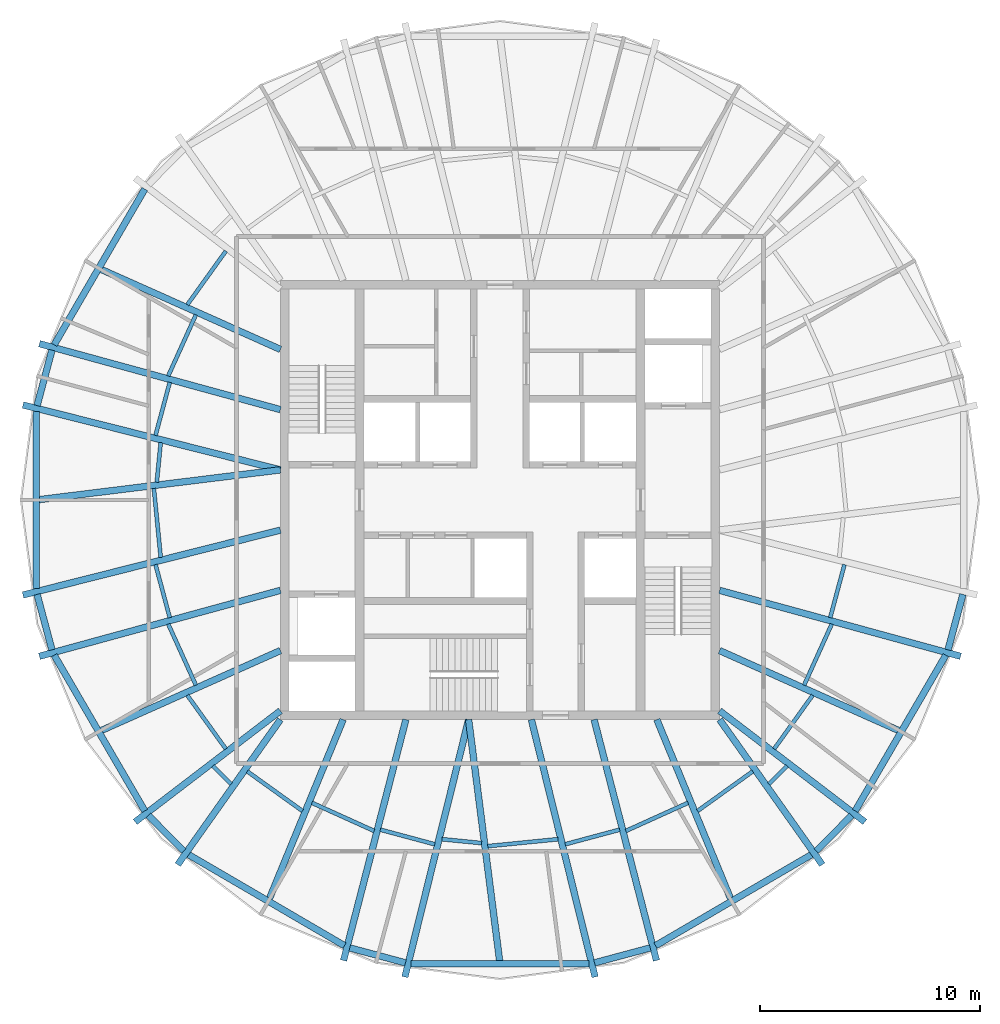
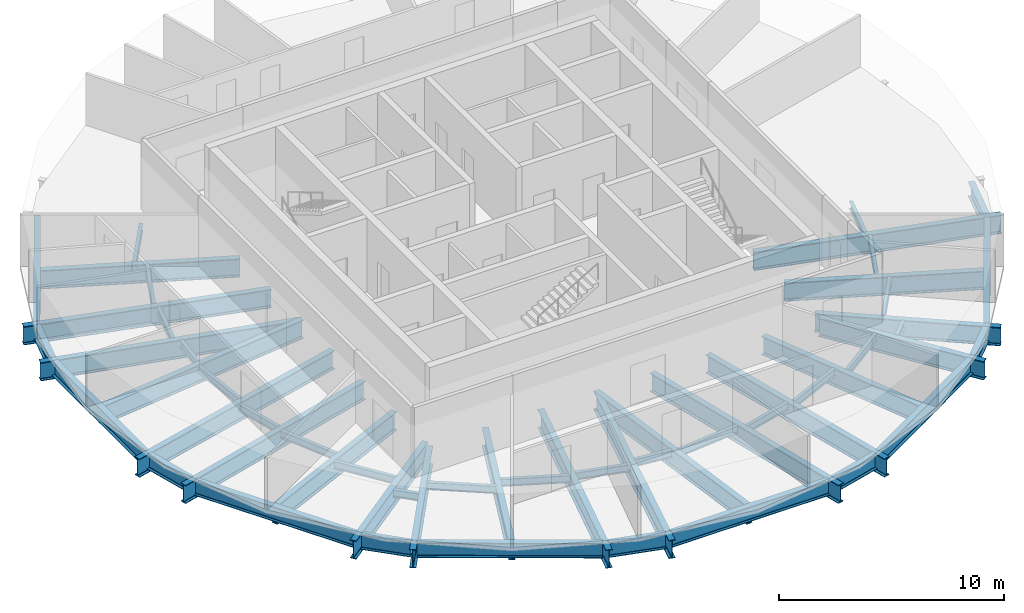
# One storey, part 1 of 7: 55 beams.
"""IFC4 building model written with IfcOpenShell, lengths in metres."""

from ifc_helpers import new_model, si_unit, direction, frame, origin, origin_2d, place, context, subcontext, project, spatial, i_section, extrude, material, material_profile, profile_set, type_object, element, save


model = new_model("IFC4")

# Units and contexts
model_context = context("Model", 3, precision=1e-05, world=origin(), true_north=direction((0.0, 1.0)))
body_context = subcontext(model_context, "Body", "Model", "MODEL_VIEW")
ifc_project = project(units=[si_unit("LENGTHUNIT", "METRE"), si_unit("AREAUNIT", "SQUARE_METRE"), si_unit("VOLUMEUNIT", "CUBIC_METRE"), si_unit("PLANEANGLEUNIT", "RADIAN"), si_unit("MASSUNIT", "GRAM", prefix="KILO")], contexts=[model_context])

# Site, building, storey
site_placement = place(None, origin())
site = spatial("IfcSite", under=ifc_project, at=site_placement, CompositionType="ELEMENT")
building_placement = place(site_placement, origin())
building = spatial("IfcBuilding", under=site, at=building_placement, Name="Golbaran Civic Tower", CompositionType="ELEMENT")
storey_placement = place(building_placement, frame((0.0, 0.0, 268.0)))
storey = spatial("IfcBuildingStorey", under=building, at=storey_placement, Name="L65", CompositionType="ELEMENT", Elevation=268.0)

# Beams
ifc_material = material(Name="Steel S355", Category="steel")
ifc_material_profile_1 = material_profile(ifc_material, i_section(OverallWidth=0.300048828125, OverallDepth=0.800048828125, WebThickness=0.017578125, FlangeThickness=0.032958984375, FilletRadius=0.030029296875, at=origin_2d()), Name="HEB 800")
ifc_profile_set_1 = profile_set([ifc_material_profile_1], Name="Steel S355")
beam_type_1 = type_object("IfcBeamType", Name="EDGE BEAM HEB 800", PredefinedType="BEAM", material=ifc_profile_set_1)
beam_1_placement = place(storey_placement, frame((-16.17431640625, 14.158447265625, -0.60009765625), z_axis=(-0.502921471552, -0.864332108308, 0.0), x_axis=(0.864332108308, -0.502921471552, 0.0)))
element("IfcBeam", 1, at=beam_1_placement, inside=storey, type_object=beam_type_1, Name="Edge beam 138.67 L65", PredefinedType="BEAM", context=body_context, shape_type="SweptSolid", body=[
    extrude(i_section(OverallWidth=0.300048828125, OverallDepth=0.800048828125, WebThickness=0.017578125, FlangeThickness=0.032958984375, FilletRadius=0.030029296875, at=origin_2d()), origin(), (0.0, 0.0, 1.0), 8.20361328125),
])
beam_2_placement = place(storey_placement, frame((-20.4013671875, 6.826171875, -0.60009765625), z_axis=(-0.258992659124, -0.965879289829, 0.0), x_axis=(0.965879289829, -0.258992659124, 0.0)))
element("IfcBeam", 2, at=beam_2_placement, inside=storey, type_object=beam_type_1, Name="Edge beam 161.33 L65", PredefinedType="BEAM", context=body_context, shape_type="SweptSolid", body=[
    extrude(i_section(OverallWidth=0.300048828125, OverallDepth=0.800048828125, WebThickness=0.017578125, FlangeThickness=0.032958984375, FilletRadius=0.030029296875, at=origin_2d()), origin(), (0.0, 0.0, 1.0), 2.615966796875),
])
beam_3_placement = place(storey_placement, frame((-21.112548828125, 4.0400390625, -0.60009765625), z_axis=(0.0, -1.0, 0.0), x_axis=(1.0, 0.0, 0.0)))
element("IfcBeam", 3, at=beam_3_placement, inside=storey, type_object=beam_type_1, Name="Edge beam 168.67 L65", PredefinedType="BEAM", context=body_context, shape_type="SweptSolid", body=[
    extrude(i_section(OverallWidth=0.300048828125, OverallDepth=0.800048828125, WebThickness=0.017578125, FlangeThickness=0.032958984375, FilletRadius=0.030029296875, at=origin_2d()), origin(), (0.0, 0.0, 1.0), 8.080078125),
])
beam_4_placement = place(storey_placement, frame((-21.078857421875, -4.299560546875, -0.60009765625), z_axis=(0.258992659124, -0.965879289829, 0.0), x_axis=(0.965879289829, 0.258992659124, 0.0)))
element("IfcBeam", 4, at=beam_4_placement, inside=storey, type_object=beam_type_1, Name="Edge beam 191.33 L65", PredefinedType="BEAM", context=body_context, shape_type="SweptSolid", body=[
    extrude(i_section(OverallWidth=0.300048828125, OverallDepth=0.800048828125, WebThickness=0.017578125, FlangeThickness=0.032958984375, FilletRadius=0.030029296875, at=origin_2d()), origin(), (0.0, 0.0, 1.0), 2.615966796875),
])
beam_5_placement = place(storey_placement, frame((-20.300048828125, -7.06787109375, -0.60009765625), z_axis=(0.502921471552, -0.864332108308, 0.0), x_axis=(0.864332108308, 0.502921471552, 0.0)))
element("IfcBeam", 5, at=beam_5_placement, inside=storey, type_object=beam_type_1, Name="Edge beam 198.67 L65", PredefinedType="BEAM", context=body_context, shape_type="SweptSolid", body=[
    extrude(i_section(OverallWidth=0.300048828125, OverallDepth=0.800048828125, WebThickness=0.017578125, FlangeThickness=0.032958984375, FilletRadius=0.030029296875, at=origin_2d()), origin(), (0.0, 0.0, 1.0), 8.20361328125),
])
beam_6_placement = place(storey_placement, frame((-16.015869140625, -14.364501953125, -0.60009765625), z_axis=(0.706414088255, -0.707798796209, 0.0), x_axis=(0.707798796209, 0.706414088255, 0.0)))
element("IfcBeam", 6, at=beam_6_placement, inside=storey, type_object=beam_type_1, Name="Edge beam 221.33 L65", PredefinedType="BEAM", context=body_context, shape_type="SweptSolid", body=[
    extrude(i_section(OverallWidth=0.300048828125, OverallDepth=0.800048828125, WebThickness=0.017578125, FlangeThickness=0.032958984375, FilletRadius=0.030029296875, at=origin_2d()), origin(), (0.0, 0.0, 1.0), 2.2919921875),
])
beam_7_placement = place(storey_placement, frame((-14.19091796875, -16.14599609375, -0.60009765625), z_axis=(0.863649754301, -0.50409235453, 0.0), x_axis=(0.50409235453, 0.863649754301, 0.0)))
element("IfcBeam", 7, at=beam_7_placement, inside=storey, type_object=beam_type_1, Name="Edge beam 228.67 L65", PredefinedType="BEAM", context=body_context, shape_type="SweptSolid", body=[
    extrude(i_section(OverallWidth=0.300048828125, OverallDepth=0.800048828125, WebThickness=0.017578125, FlangeThickness=0.032958984375, FilletRadius=0.030029296875, at=origin_2d()), origin(), (0.0, 0.0, 1.0), 8.2294921875),
])
beam_8_placement = place(storey_placement, frame((-6.84130859375, -20.396240234375, -0.60009765625), z_axis=(0.965745754414, -0.259490149776, 0.0), x_axis=(0.259490149776, 0.965745754414, 0.0)))
element("IfcBeam", 8, at=beam_8_placement, inside=storey, type_object=beam_type_1, Name="Edge beam 251.33 L65", PredefinedType="BEAM", context=body_context, shape_type="SweptSolid", body=[
    extrude(i_section(OverallWidth=0.300048828125, OverallDepth=0.800048828125, WebThickness=0.017578125, FlangeThickness=0.032958984375, FilletRadius=0.030029296875, at=origin_2d()), origin(), (0.0, 0.0, 1.0), 2.626953125),
])
beam_9_placement = place(storey_placement, frame((-4.044921875, -21.111572265625, -0.60009765625), z_axis=(1.0, 0.0, 0.0), x_axis=(0.0, 1.0, 0.0)))
element("IfcBeam", 9, at=beam_9_placement, inside=storey, type_object=beam_type_1, Name="Edge beam 258.67 L65", PredefinedType="BEAM", context=body_context, shape_type="SweptSolid", body=[
    extrude(i_section(OverallWidth=0.300048828125, OverallDepth=0.800048828125, WebThickness=0.017578125, FlangeThickness=0.032958984375, FilletRadius=0.030029296875, at=origin_2d()), origin(), (0.0, 0.0, 1.0), 8.08984375),
])
beam_10_placement = place(storey_placement, frame((4.304443359375, -21.077880859375, -0.60009765625), z_axis=(0.965745754414, 0.259490149776, 0.0), x_axis=(-0.259490149776, 0.965745754414, 0.0)))
element("IfcBeam", 10, at=beam_10_placement, inside=storey, type_object=beam_type_1, Name="Edge beam 281.33 L65", PredefinedType="BEAM", context=body_context, shape_type="SweptSolid", body=[
    extrude(i_section(OverallWidth=0.300048828125, OverallDepth=0.800048828125, WebThickness=0.017578125, FlangeThickness=0.032958984375, FilletRadius=0.030029296875, at=origin_2d()), origin(), (0.0, 0.0, 1.0), 2.626953125),
])
beam_11_placement = place(storey_placement, frame((7.08349609375, -20.29443359375, -0.60009765625), z_axis=(0.863649754301, 0.50409235453, 0.0), x_axis=(-0.50409235453, 0.863649754301, 0.0)))
element("IfcBeam", 11, at=beam_11_placement, inside=storey, type_object=beam_type_1, Name="Edge beam 288.67 L65", PredefinedType="BEAM", context=body_context, shape_type="SweptSolid", body=[
    extrude(i_section(OverallWidth=0.300048828125, OverallDepth=0.800048828125, WebThickness=0.017578125, FlangeThickness=0.032958984375, FilletRadius=0.030029296875, at=origin_2d()), origin(), (0.0, 0.0, 1.0), 8.2294921875),
])
beam_12_placement = place(storey_placement, frame((14.396728515625, -15.98681640625, -0.60009765625), z_axis=(0.706414088255, 0.707798796209, 0.0), x_axis=(-0.707798796209, 0.706414088255, 0.0)))
element("IfcBeam", 12, at=beam_12_placement, inside=storey, type_object=beam_type_1, Name="Edge beam 311.33 L65", PredefinedType="BEAM", context=body_context, shape_type="SweptSolid", body=[
    extrude(i_section(OverallWidth=0.300048828125, OverallDepth=0.800048828125, WebThickness=0.017578125, FlangeThickness=0.032958984375, FilletRadius=0.030029296875, at=origin_2d()), origin(), (0.0, 0.0, 1.0), 2.2919921875),
])
beam_13_placement = place(storey_placement, frame((16.17431640625, -14.158447265625, -0.60009765625), z_axis=(0.502921471552, 0.864332108308, 0.0), x_axis=(-0.864332108308, 0.502921471552, 0.0)))
element("IfcBeam", 13, at=beam_13_placement, inside=storey, type_object=beam_type_1, Name="Edge beam 318.67 L65", PredefinedType="BEAM", context=body_context, shape_type="SweptSolid", body=[
    extrude(i_section(OverallWidth=0.300048828125, OverallDepth=0.800048828125, WebThickness=0.017578125, FlangeThickness=0.032958984375, FilletRadius=0.030029296875, at=origin_2d()), origin(), (0.0, 0.0, 1.0), 8.20361328125),
])
beam_14_placement = place(storey_placement, frame((20.4013671875, -6.826171875, -0.60009765625), z_axis=(0.258992659124, 0.965879289829, 0.0), x_axis=(-0.965879289829, 0.258992659124, 0.0)))
element("IfcBeam", 14, at=beam_14_placement, inside=storey, type_object=beam_type_1, Name="Edge beam 341.33 L65", PredefinedType="BEAM", context=body_context, shape_type="SweptSolid", body=[
    extrude(i_section(OverallWidth=0.300048828125, OverallDepth=0.800048828125, WebThickness=0.017578125, FlangeThickness=0.032958984375, FilletRadius=0.030029296875, at=origin_2d()), origin(), (0.0, 0.0, 1.0), 2.615966796875),
])
ifc_material_profile_2 = material_profile(ifc_material, i_section(OverallWidth=0.179931640625, OverallDepth=0.39990234375, WebThickness=0.008544921875, FlangeThickness=0.013427734375, FilletRadius=0.02099609375, at=origin_2d()), Name="IPE 400")
ifc_profile_set_2 = profile_set([ifc_material_profile_2], Name="Steel S355")
beam_type_2 = type_object("IfcBeamType", Name="FLOOR INFILL BEAM IPE 400", PredefinedType="BEAM", material=ifc_profile_set_2)
beam_15_placement = place(storey_placement, frame((-12.48486328125, 11.336669921875, -0.39990234375), z_axis=(-0.583070880212, -0.812421287664, 0.0), x_axis=(0.812421287664, -0.583070880212, 0.0)))
element("IfcBeam", 15, at=beam_15_placement, inside=storey, type_object=beam_type_2, Name="Infill beam 144.33 L65", PredefinedType="BEAM", context=body_context, shape_type="SweptSolid", body=[
    extrude(i_section(OverallWidth=0.179931640625, OverallDepth=0.39990234375, WebThickness=0.008544921875, FlangeThickness=0.013427734375, FilletRadius=0.02099609375, at=origin_2d()), origin(), (0.0, 0.0, 1.0), 3.00927734375),
])
beam_16_placement = place(storey_placement, frame((-13.848876953125, 8.432861328125, -0.39990234375), z_axis=(-0.412057383587, -0.911157896652, 0.0), x_axis=(0.911157896652, -0.412057383587, 0.0)))
element("IfcBeam", 16, at=beam_16_placement, inside=storey, type_object=beam_type_2, Name="Infill beam 155.67 L65", PredefinedType="BEAM", context=body_context, shape_type="SweptSolid", body=[
    extrude(i_section(OverallWidth=0.179931640625, OverallDepth=0.39990234375, WebThickness=0.008544921875, FlangeThickness=0.013427734375, FilletRadius=0.02099609375, at=origin_2d()), origin(), (0.0, 0.0, 1.0), 3.057373046875),
])
beam_17_placement = place(storey_placement, frame((-15.03857421875, 5.3583984375, -0.39990234375), z_axis=(-0.258857919749, -0.965915409021, 0.0), x_axis=(0.965915409021, -0.258857919749, 0.0)))
element("IfcBeam", 17, at=beam_17_placement, inside=storey, type_object=beam_type_2, Name="Infill beam 165.00 L65", PredefinedType="BEAM", context=body_context, shape_type="SweptSolid", body=[
    extrude(i_section(OverallWidth=0.179931640625, OverallDepth=0.39990234375, WebThickness=0.008544921875, FlangeThickness=0.013427734375, FilletRadius=0.02099609375, at=origin_2d()), origin(), (0.0, 0.0, 1.0), 2.504150390625),
])
beam_18_placement = place(storey_placement, frame((-15.450439453125, 2.61181640625, -0.39990234375), z_axis=(-0.098703742979, -0.995116863048, 0.0), x_axis=(0.995116863048, -0.098703742979, 0.0)))
element("IfcBeam", 18, at=beam_18_placement, inside=storey, type_object=beam_type_2, Name="Infill beam 174.33 L65", PredefinedType="BEAM", context=body_context, shape_type="SweptSolid", body=[
    extrude(i_section(OverallWidth=0.179931640625, OverallDepth=0.39990234375, WebThickness=0.008544921875, FlangeThickness=0.013427734375, FilletRadius=0.02099609375, at=origin_2d()), origin(), (0.0, 0.0, 1.0), 1.81298828125),
])
beam_19_placement = place(storey_placement, frame((-15.761962890625, 0.529296875, -0.39990234375), z_axis=(0.09869194854, -0.995118032845, 0.0), x_axis=(0.995118032845, 0.09869194854, 0.0)))
element("IfcBeam", 19, at=beam_19_placement, inside=storey, type_object=beam_type_2, Name="Infill beam 185.67 L65", PredefinedType="BEAM", context=body_context, shape_type="SweptSolid", body=[
    extrude(i_section(OverallWidth=0.179931640625, OverallDepth=0.39990234375, WebThickness=0.008544921875, FlangeThickness=0.013427734375, FilletRadius=0.02099609375, at=origin_2d()), origin(), (0.0, 0.0, 1.0), 3.156494140625),
])
beam_20_placement = place(storey_placement, frame((-15.686767578125, -2.939697265625, -0.39990234375), z_axis=(0.258857919749, -0.965915409021, 0.0), x_axis=(0.965915409021, 0.258857919749, 0.0)))
element("IfcBeam", 20, at=beam_20_placement, inside=storey, type_object=beam_type_2, Name="Infill beam 195.00 L65", PredefinedType="BEAM", context=body_context, shape_type="SweptSolid", body=[
    extrude(i_section(OverallWidth=0.179931640625, OverallDepth=0.39990234375, WebThickness=0.008544921875, FlangeThickness=0.013427734375, FilletRadius=0.02099609375, at=origin_2d()), origin(), (0.0, 0.0, 1.0), 2.504150390625),
])
beam_21_placement = place(storey_placement, frame((-15.108642578125, -5.647216796875, -0.39990234375), z_axis=(0.412057383587, -0.911157896652, 0.0), x_axis=(0.911157896652, 0.412057383587, 0.0)))
element("IfcBeam", 21, at=beam_21_placement, inside=storey, type_object=beam_type_2, Name="Infill beam 204.33 L65", PredefinedType="BEAM", context=body_context, shape_type="SweptSolid", body=[
    extrude(i_section(OverallWidth=0.179931640625, OverallDepth=0.39990234375, WebThickness=0.008544921875, FlangeThickness=0.013427734375, FilletRadius=0.02099609375, at=origin_2d()), origin(), (0.0, 0.0, 1.0), 3.057373046875),
])
beam_22_placement = place(storey_placement, frame((-14.239501953125, -8.891845703125, -0.39990234375), z_axis=(0.583070880212, -0.812421287664, 0.0), x_axis=(0.812421287664, 0.583070880212, 0.0)))
element("IfcBeam", 22, at=beam_22_placement, inside=storey, type_object=beam_type_2, Name="Infill beam 215.67 L65", PredefinedType="BEAM", context=body_context, shape_type="SweptSolid", body=[
    extrude(i_section(OverallWidth=0.179931640625, OverallDepth=0.39990234375, WebThickness=0.008544921875, FlangeThickness=0.013427734375, FilletRadius=0.02099609375, at=origin_2d()), origin(), (0.0, 0.0, 1.0), 3.00927734375),
])
beam_23_placement = place(storey_placement, frame((-13.075439453125, -12.11572265625, -0.39990234375), z_axis=(0.707210683438, -0.707002863666, 0.0), x_axis=(0.707002863666, 0.707210683438, 0.0)))
element("IfcBeam", 23, at=beam_23_placement, inside=storey, type_object=beam_type_2, Name="Infill beam 225.00 L65", PredefinedType="BEAM", context=body_context, shape_type="SweptSolid", body=[
    extrude(i_section(OverallWidth=0.179931640625, OverallDepth=0.39990234375, WebThickness=0.008544921875, FlangeThickness=0.013427734375, FilletRadius=0.02099609375, at=origin_2d()), origin(), (0.0, 0.0, 1.0), 1.1748046875),
])
beam_24_placement = place(storey_placement, frame((-11.509521484375, -12.357666015625, -0.39990234375), z_axis=(0.812440704579, -0.58304382472, 0.0), x_axis=(0.58304382472, 0.812440704579, 0.0)))
element("IfcBeam", 24, at=beam_24_placement, inside=storey, type_object=beam_type_2, Name="Infill beam 234.33 L65", PredefinedType="BEAM", context=body_context, shape_type="SweptSolid", body=[
    extrude(i_section(OverallWidth=0.179931640625, OverallDepth=0.39990234375, WebThickness=0.008544921875, FlangeThickness=0.013427734375, FilletRadius=0.02099609375, at=origin_2d()), origin(), (0.0, 0.0, 1.0), 3.0927734375),
])
beam_25_placement = place(storey_placement, frame((-8.56298828125, -13.7900390625, -0.39990234375), z_axis=(0.911161309546, -0.412049836776, 0.0), x_axis=(0.412049836776, 0.911161309546, 0.0)))
element("IfcBeam", 25, at=beam_25_placement, inside=storey, type_object=beam_type_2, Name="Infill beam 245.67 L65", PredefinedType="BEAM", context=body_context, shape_type="SweptSolid", body=[
    extrude(i_section(OverallWidth=0.179931640625, OverallDepth=0.39990234375, WebThickness=0.008544921875, FlangeThickness=0.013427734375, FilletRadius=0.02099609375, at=origin_2d()), origin(), (0.0, 0.0, 1.0), 3.107177734375),
])
beam_26_placement = place(storey_placement, frame((-5.44873046875, -15.01416015625, -0.39990234375), z_axis=(0.965917074027, -0.258851706779, 0.0), x_axis=(0.258851706779, 0.965917074027, 0.0)))
element("IfcBeam", 26, at=beam_26_placement, inside=storey, type_object=beam_type_2, Name="Infill beam 255.00 L65", PredefinedType="BEAM", context=body_context, shape_type="SweptSolid", body=[
    extrude(i_section(OverallWidth=0.179931640625, OverallDepth=0.39990234375, WebThickness=0.008544921875, FlangeThickness=0.013427734375, FilletRadius=0.02099609375, at=origin_2d()), origin(), (0.0, 0.0, 1.0), 2.568359375),
])
beam_27_placement = place(storey_placement, frame((-2.642822265625, -15.44677734375, -0.39990234375), z_axis=(0.9951154454, -0.098718034454, 0.0), x_axis=(0.098718034454, 0.9951154454, 0.0)))
element("IfcBeam", 27, at=beam_27_placement, inside=storey, type_object=beam_type_2, Name="Infill beam 264.33 L65", PredefinedType="BEAM", context=body_context, shape_type="SweptSolid", body=[
    extrude(i_section(OverallWidth=0.179931640625, OverallDepth=0.39990234375, WebThickness=0.008544921875, FlangeThickness=0.013427734375, FilletRadius=0.02099609375, at=origin_2d()), origin(), (0.0, 0.0, 1.0), 1.815185546875),
])
beam_28_placement = place(storey_placement, frame((-0.556396484375, -15.76416015625, -0.39990234375), z_axis=(0.995115078392, 0.098721733967, 0.0), x_axis=(-0.098721733967, 0.995115078392, 0.0)))
element("IfcBeam", 28, at=beam_28_placement, inside=storey, type_object=beam_type_2, Name="Infill beam 275.67 L65", PredefinedType="BEAM", context=body_context, shape_type="SweptSolid", body=[
    extrude(i_section(OverallWidth=0.179931640625, OverallDepth=0.39990234375, WebThickness=0.008544921875, FlangeThickness=0.013427734375, FilletRadius=0.02099609375, at=origin_2d()), origin(), (0.0, 0.0, 1.0), 3.21484375),
])
beam_29_placement = place(storey_placement, frame((2.968017578125, -15.678955078125, -0.39990234375), z_axis=(0.965917074027, 0.258851706779, 0.0), x_axis=(-0.258851706779, 0.965917074027, 0.0)))
element("IfcBeam", 29, at=beam_29_placement, inside=storey, type_object=beam_type_2, Name="Infill beam 285.00 L65", PredefinedType="BEAM", context=body_context, shape_type="SweptSolid", body=[
    extrude(i_section(OverallWidth=0.179931640625, OverallDepth=0.39990234375, WebThickness=0.008544921875, FlangeThickness=0.013427734375, FilletRadius=0.02099609375, at=origin_2d()), origin(), (0.0, 0.0, 1.0), 2.568359375),
])
beam_30_placement = place(storey_placement, frame((5.73193359375, -15.0703125, -0.39990234375), z_axis=(0.911161309546, 0.412049836776, 0.0), x_axis=(-0.412049836776, 0.911161309546, 0.0)))
element("IfcBeam", 30, at=beam_30_placement, inside=storey, type_object=beam_type_2, Name="Infill beam 294.33 L65", PredefinedType="BEAM", context=body_context, shape_type="SweptSolid", body=[
    extrude(i_section(OverallWidth=0.179931640625, OverallDepth=0.39990234375, WebThickness=0.008544921875, FlangeThickness=0.013427734375, FilletRadius=0.02099609375, at=origin_2d()), origin(), (0.0, 0.0, 1.0), 3.107177734375),
])
beam_31_placement = place(storey_placement, frame((8.996826171875, -14.160888671875, -0.39990234375), z_axis=(0.812440704579, 0.58304382472, 0.0), x_axis=(-0.58304382472, 0.812440704579, 0.0)))
element("IfcBeam", 31, at=beam_31_placement, inside=storey, type_object=beam_type_2, Name="Infill beam 305.67 L65", PredefinedType="BEAM", context=body_context, shape_type="SweptSolid", body=[
    extrude(i_section(OverallWidth=0.179931640625, OverallDepth=0.39990234375, WebThickness=0.008544921875, FlangeThickness=0.013427734375, FilletRadius=0.02099609375, at=origin_2d()), origin(), (0.0, 0.0, 1.0), 3.0927734375),
])
beam_32_placement = place(storey_placement, frame((12.24462890625, -12.9462890625, -0.39990234375), z_axis=(0.707210683438, 0.707002863666, 0.0), x_axis=(-0.707002863666, 0.707210683438, 0.0)))
element("IfcBeam", 32, at=beam_32_placement, inside=storey, type_object=beam_type_2, Name="Infill beam 315.00 L65", PredefinedType="BEAM", context=body_context, shape_type="SweptSolid", body=[
    extrude(i_section(OverallWidth=0.179931640625, OverallDepth=0.39990234375, WebThickness=0.008544921875, FlangeThickness=0.013427734375, FilletRadius=0.02099609375, at=origin_2d()), origin(), (0.0, 0.0, 1.0), 1.1748046875),
])
beam_33_placement = place(storey_placement, frame((12.48486328125, -11.336669921875, -0.39990234375), z_axis=(0.583070880212, 0.812421287664, 0.0), x_axis=(-0.812421287664, 0.583070880212, 0.0)))
element("IfcBeam", 33, at=beam_33_placement, inside=storey, type_object=beam_type_2, Name="Infill beam 324.33 L65", PredefinedType="BEAM", context=body_context, shape_type="SweptSolid", body=[
    extrude(i_section(OverallWidth=0.179931640625, OverallDepth=0.39990234375, WebThickness=0.008544921875, FlangeThickness=0.013427734375, FilletRadius=0.02099609375, at=origin_2d()), origin(), (0.0, 0.0, 1.0), 3.00927734375),
])
beam_34_placement = place(storey_placement, frame((13.848876953125, -8.432861328125, -0.39990234375), z_axis=(0.412057383587, 0.911157896652, 0.0), x_axis=(-0.911157896652, 0.412057383587, 0.0)))
element("IfcBeam", 34, at=beam_34_placement, inside=storey, type_object=beam_type_2, Name="Infill beam 335.67 L65", PredefinedType="BEAM", context=body_context, shape_type="SweptSolid", body=[
    extrude(i_section(OverallWidth=0.179931640625, OverallDepth=0.39990234375, WebThickness=0.008544921875, FlangeThickness=0.013427734375, FilletRadius=0.02099609375, at=origin_2d()), origin(), (0.0, 0.0, 1.0), 3.057373046875),
])
beam_35_placement = place(storey_placement, frame((15.03857421875, -5.3583984375, -0.39990234375), z_axis=(0.258857919749, 0.965915409021, 0.0), x_axis=(-0.965915409021, 0.258857919749, 0.0)))
element("IfcBeam", 35, at=beam_35_placement, inside=storey, type_object=beam_type_2, Name="Infill beam 345.00 L65", PredefinedType="BEAM", context=body_context, shape_type="SweptSolid", body=[
    extrude(i_section(OverallWidth=0.179931640625, OverallDepth=0.39990234375, WebThickness=0.008544921875, FlangeThickness=0.013427734375, FilletRadius=0.02099609375, at=origin_2d()), origin(), (0.0, 0.0, 1.0), 2.504150390625),
])
ifc_material_profile_3 = material_profile(ifc_material, i_section(OverallWidth=0.300048828125, OverallDepth=1.0, WebThickness=0.01904296875, FlangeThickness=0.035888671875, FilletRadius=0.030029296875, at=origin_2d()), Name="HEB 1000")
ifc_profile_set_3 = profile_set([ifc_material_profile_3], Name="Steel S355")
beam_type_3 = type_object("IfcBeamType", Name="RADIAL FLOOR BEAM HEB 1000", PredefinedType="BEAM", material=ifc_profile_set_3)
beam_36_placement = place(storey_placement, frame((-10.0, 4.1142578125, -0.7099609375), z_axis=(-0.964530693018, 0.263970722291, 0.0), x_axis=(-0.263970722291, -0.964530693018, 0.0)))
element("IfcBeam", 36, at=beam_36_placement, inside=storey, type_object=beam_type_3, Name="Radial beam 161.33 L65", PredefinedType="BEAM", context=body_context, shape_type="SweptSolid", body=[
    extrude(i_section(OverallWidth=0.300048828125, OverallDepth=1.0, WebThickness=0.01904296875, FlangeThickness=0.035888671875, FilletRadius=0.030029296875, at=origin_2d()), origin(), (0.0, 0.0, 1.0), 11.376953125),
])
for number, where, z_axis, x_axis, name in (
    (37, (-10.0, 1.371337890625, -0.7099609375), (-0.969637910778, 0.24454513281, 0.0), (-0.24454513281, -0.969637910778, 0.0), "Radial beam 168.67 L65"),
    (38, (-10.0, -1.371337890625, -0.7099609375), (-0.969637910778, -0.24454513281, 0.0), (0.24454513281, -0.969637910778, 0.0), "Radial beam 191.33 L65"),
):
    element("IfcBeam", number, at=place(storey_placement, frame(where, z_axis=z_axis, x_axis=x_axis)), inside=storey, type_object=beam_type_3, Name=name, PredefinedType="BEAM", context=body_context, shape_type="SweptSolid", body=[
        extrude(i_section(OverallWidth=0.300048828125, OverallDepth=1.0, WebThickness=0.01904296875, FlangeThickness=0.035888671875, FilletRadius=0.030029296875, at=origin_2d()), origin(), (0.0, 0.0, 1.0), 12.0888671875),
    ])
beam_37_placement = place(storey_placement, frame((-10.0, -4.1142578125, -0.7099609375), z_axis=(-0.964530693018, -0.263970722291, 0.0), x_axis=(0.263970722291, -0.964530693018, 0.0)))
element("IfcBeam", 39, at=beam_37_placement, inside=storey, type_object=beam_type_3, Name="Radial beam 198.67 L65", PredefinedType="BEAM", context=body_context, shape_type="SweptSolid", body=[
    extrude(i_section(OverallWidth=0.300048828125, OverallDepth=1.0, WebThickness=0.01904296875, FlangeThickness=0.035888671875, FilletRadius=0.030029296875, at=origin_2d()), origin(), (0.0, 0.0, 1.0), 11.376953125),
])
beam_38_placement = place(storey_placement, frame((-10.0, -9.60009765625, -0.7099609375), z_axis=(-0.794329542942, -0.607487100447, 0.0), x_axis=(0.607487100447, -0.794329542942, 0.0)))
element("IfcBeam", 40, at=beam_38_placement, inside=storey, type_object=beam_type_3, Name="Radial beam 221.33 L65", PredefinedType="BEAM", context=body_context, shape_type="SweptSolid", body=[
    extrude(i_section(OverallWidth=0.300048828125, OverallDepth=1.0, WebThickness=0.01904296875, FlangeThickness=0.035888671875, FilletRadius=0.030029296875, at=origin_2d()), origin(), (0.0, 0.0, 1.0), 8.32861328125),
])
beam_39_placement = place(storey_placement, frame((-10.0, -10.0, -0.7099609375), z_axis=(-0.577728538232, -0.816228972845, 0.0), x_axis=(0.816228972845, -0.577728538232, 0.0)))
element("IfcBeam", 41, at=beam_39_placement, inside=storey, type_object=beam_type_3, Name="Radial beam 228.67 L65", PredefinedType="BEAM", context=body_context, shape_type="SweptSolid", body=[
    extrude(i_section(OverallWidth=0.300048828125, OverallDepth=1.0, WebThickness=0.01904296875, FlangeThickness=0.035888671875, FilletRadius=0.030029296875, at=origin_2d()), origin(), (0.0, 0.0, 1.0), 8.093017578125),
])
beam_40_placement = place(storey_placement, frame((-4.28564453125, -10.0, -0.7099609375), z_axis=(-0.250491804214, -0.968118720004, 0.0), x_axis=(0.968118720004, -0.250491804214, 0.0)))
element("IfcBeam", 42, at=beam_40_placement, inside=storey, type_object=beam_type_3, Name="Radial beam 251.33 L65", PredefinedType="BEAM", context=body_context, shape_type="SweptSolid", body=[
    extrude(i_section(OverallWidth=0.300048828125, OverallDepth=1.0, WebThickness=0.01904296875, FlangeThickness=0.035888671875, FilletRadius=0.030029296875, at=origin_2d()), origin(), (0.0, 0.0, 1.0), 11.331298828125),
])
for number, where, z_axis, x_axis, name in (
    (43, (-1.428466796875, -10.0, -0.7099609375), (-0.240284884834, -0.970702412751, 0.0), (0.970702412751, -0.240284884834, 0.0), "Radial beam 258.67 L65"),
    (44, (1.428466796875, -10.0, -0.7099609375), (0.240284884834, -0.970702412751, 0.0), (0.970702412751, 0.240284884834, 0.0), "Radial beam 281.33 L65"),
):
    element("IfcBeam", number, at=place(storey_placement, frame(where, z_axis=z_axis, x_axis=x_axis)), inside=storey, type_object=beam_type_3, Name=name, PredefinedType="BEAM", context=body_context, shape_type="SweptSolid", body=[
        extrude(i_section(OverallWidth=0.300048828125, OverallDepth=1.0, WebThickness=0.01904296875, FlangeThickness=0.035888671875, FilletRadius=0.030029296875, at=origin_2d()), origin(), (0.0, 0.0, 1.0), 12.07568359375),
    ])
beam_41_placement = place(storey_placement, frame((4.28564453125, -10.0, -0.7099609375), z_axis=(0.250491804214, -0.968118720004, 0.0), x_axis=(0.968118720004, 0.250491804214, 0.0)))
element("IfcBeam", 45, at=beam_41_placement, inside=storey, type_object=beam_type_3, Name="Radial beam 288.67 L65", PredefinedType="BEAM", context=body_context, shape_type="SweptSolid", body=[
    extrude(i_section(OverallWidth=0.300048828125, OverallDepth=1.0, WebThickness=0.01904296875, FlangeThickness=0.035888671875, FilletRadius=0.030029296875, at=origin_2d()), origin(), (0.0, 0.0, 1.0), 11.331298828125),
])
beam_42_placement = place(storey_placement, frame((10.0, -10.0, -0.7099609375), z_axis=(0.577728538232, -0.816228972845, 0.0), x_axis=(0.816228972845, 0.577728538232, 0.0)))
element("IfcBeam", 46, at=beam_42_placement, inside=storey, type_object=beam_type_3, Name="Radial beam 311.33 L65", PredefinedType="BEAM", context=body_context, shape_type="SweptSolid", body=[
    extrude(i_section(OverallWidth=0.300048828125, OverallDepth=1.0, WebThickness=0.01904296875, FlangeThickness=0.035888671875, FilletRadius=0.030029296875, at=origin_2d()), origin(), (0.0, 0.0, 1.0), 8.093017578125),
])
beam_43_placement = place(storey_placement, frame((10.0, -9.60009765625, -0.7099609375), z_axis=(0.794329542942, -0.607487100447, 0.0), x_axis=(0.607487100447, 0.794329542942, 0.0)))
element("IfcBeam", 47, at=beam_43_placement, inside=storey, type_object=beam_type_3, Name="Radial beam 318.67 L65", PredefinedType="BEAM", context=body_context, shape_type="SweptSolid", body=[
    extrude(i_section(OverallWidth=0.300048828125, OverallDepth=1.0, WebThickness=0.01904296875, FlangeThickness=0.035888671875, FilletRadius=0.030029296875, at=origin_2d()), origin(), (0.0, 0.0, 1.0), 8.32861328125),
])
beam_44_placement = place(storey_placement, frame((10.0, -4.1142578125, -0.7099609375), z_axis=(0.964530693018, -0.263970722291, 0.0), x_axis=(0.263970722291, 0.964530693018, 0.0)))
element("IfcBeam", 48, at=beam_44_placement, inside=storey, type_object=beam_type_3, Name="Radial beam 341.33 L65", PredefinedType="BEAM", context=body_context, shape_type="SweptSolid", body=[
    extrude(i_section(OverallWidth=0.300048828125, OverallDepth=1.0, WebThickness=0.01904296875, FlangeThickness=0.035888671875, FilletRadius=0.030029296875, at=origin_2d()), origin(), (0.0, 0.0, 1.0), 11.376953125),
])
ifc_material_profile_4 = material_profile(ifc_material, i_section(OverallWidth=0.300048828125, OverallDepth=1.0, WebThickness=0.01904296875, FlangeThickness=0.035888671875, FilletRadius=0.030029296875, at=origin_2d()), Name="HEB 1000")
ifc_profile_set_4 = profile_set([ifc_material_profile_4], Name="Steel S355")
beam_type_4 = type_object("IfcBeamType", Name="SECONDARY FLOOR BEAM HEB 1000", PredefinedType="BEAM", material=ifc_profile_set_4)
beam_45_placement = place(storey_placement, frame((-10.0, 6.857177734375, -0.7099609375), z_axis=(-0.913158120932, 0.407605503123, 0.0), x_axis=(-0.407605503123, -0.913158120932, 0.0)))
element("IfcBeam", 49, at=beam_45_placement, inside=storey, type_object=beam_type_4, Name="Secondary beam 150.00 L65", PredefinedType="BEAM", context=body_context, shape_type="SweptSolid", body=[
    extrude(i_section(OverallWidth=0.300048828125, OverallDepth=1.0, WebThickness=0.01904296875, FlangeThickness=0.035888671875, FilletRadius=0.030029296875, at=origin_2d()), origin(), (0.0, 0.0, 1.0), 9.060546875),
])
beam_46_placement = place(storey_placement, frame((-10.0, 1.371337890625, -0.7099609375), z_axis=(-0.99247154965, -0.12247539808, 0.0), x_axis=(0.12247539808, -0.99247154965, 0.0)))
element("IfcBeam", 50, at=beam_46_placement, inside=storey, type_object=beam_type_4, Name="Secondary beam 180.00 L65", PredefinedType="BEAM", context=body_context, shape_type="SweptSolid", body=[
    extrude(i_section(OverallWidth=0.300048828125, OverallDepth=1.0, WebThickness=0.01904296875, FlangeThickness=0.035888671875, FilletRadius=0.030029296875, at=origin_2d()), origin(), (0.0, 0.0, 1.0), 11.19677734375),
])
beam_47_placement = place(storey_placement, frame((-10.0, -6.857177734375, -0.7099609375), z_axis=(-0.913158120932, -0.407605503123, 0.0), x_axis=(0.407605503123, -0.913158120932, 0.0)))
element("IfcBeam", 51, at=beam_47_placement, inside=storey, type_object=beam_type_4, Name="Secondary beam 210.00 L65", PredefinedType="BEAM", context=body_context, shape_type="SweptSolid", body=[
    extrude(i_section(OverallWidth=0.300048828125, OverallDepth=1.0, WebThickness=0.01904296875, FlangeThickness=0.035888671875, FilletRadius=0.030029296875, at=origin_2d()), origin(), (0.0, 0.0, 1.0), 9.060546875),
])
beam_48_placement = place(storey_placement, frame((-7.142822265625, -10.0, -0.7099609375), z_axis=(-0.380773140304, -0.924668489581, 0.0), x_axis=(0.924668489581, -0.380773140304, 0.0)))
element("IfcBeam", 52, at=beam_48_placement, inside=storey, type_object=beam_type_4, Name="Secondary beam 240.00 L65", PredefinedType="BEAM", context=body_context, shape_type="SweptSolid", body=[
    extrude(i_section(OverallWidth=0.300048828125, OverallDepth=1.0, WebThickness=0.01904296875, FlangeThickness=0.035888671875, FilletRadius=0.030029296875, at=origin_2d()), origin(), (0.0, 0.0, 1.0), 8.945556640625),
])
beam_49_placement = place(storey_placement, frame((-1.428466796875, -10.0, -0.7099609375), z_axis=(0.127507348428, -0.991837625873, 0.0), x_axis=(0.991837625873, 0.127507348428, 0.0)))
element("IfcBeam", 53, at=beam_49_placement, inside=storey, type_object=beam_type_4, Name="Secondary beam 270.00 L65", PredefinedType="BEAM", context=body_context, shape_type="SweptSolid", body=[
    extrude(i_section(OverallWidth=0.300048828125, OverallDepth=1.0, WebThickness=0.01904296875, FlangeThickness=0.035888671875, FilletRadius=0.030029296875, at=origin_2d()), origin(), (0.0, 0.0, 1.0), 11.203125),
])
beam_50_placement = place(storey_placement, frame((7.142822265625, -10.0, -0.7099609375), z_axis=(0.380773140304, -0.924668489581, 0.0), x_axis=(0.924668489581, 0.380773140304, 0.0)))
element("IfcBeam", 54, at=beam_50_placement, inside=storey, type_object=beam_type_4, Name="Secondary beam 300.00 L65", PredefinedType="BEAM", context=body_context, shape_type="SweptSolid", body=[
    extrude(i_section(OverallWidth=0.300048828125, OverallDepth=1.0, WebThickness=0.01904296875, FlangeThickness=0.035888671875, FilletRadius=0.030029296875, at=origin_2d()), origin(), (0.0, 0.0, 1.0), 8.945556640625),
])
beam_51_placement = place(storey_placement, frame((10.0, -6.857177734375, -0.7099609375), z_axis=(0.913158120932, -0.407605503123, 0.0), x_axis=(0.407605503123, 0.913158120932, 0.0)))
element("IfcBeam", 55, at=beam_51_placement, inside=storey, type_object=beam_type_4, Name="Secondary beam 330.00 L65", PredefinedType="BEAM", context=body_context, shape_type="SweptSolid", body=[
    extrude(i_section(OverallWidth=0.300048828125, OverallDepth=1.0, WebThickness=0.01904296875, FlangeThickness=0.035888671875, FilletRadius=0.030029296875, at=origin_2d()), origin(), (0.0, 0.0, 1.0), 9.060546875),
])

save(model, "model.ifc")
